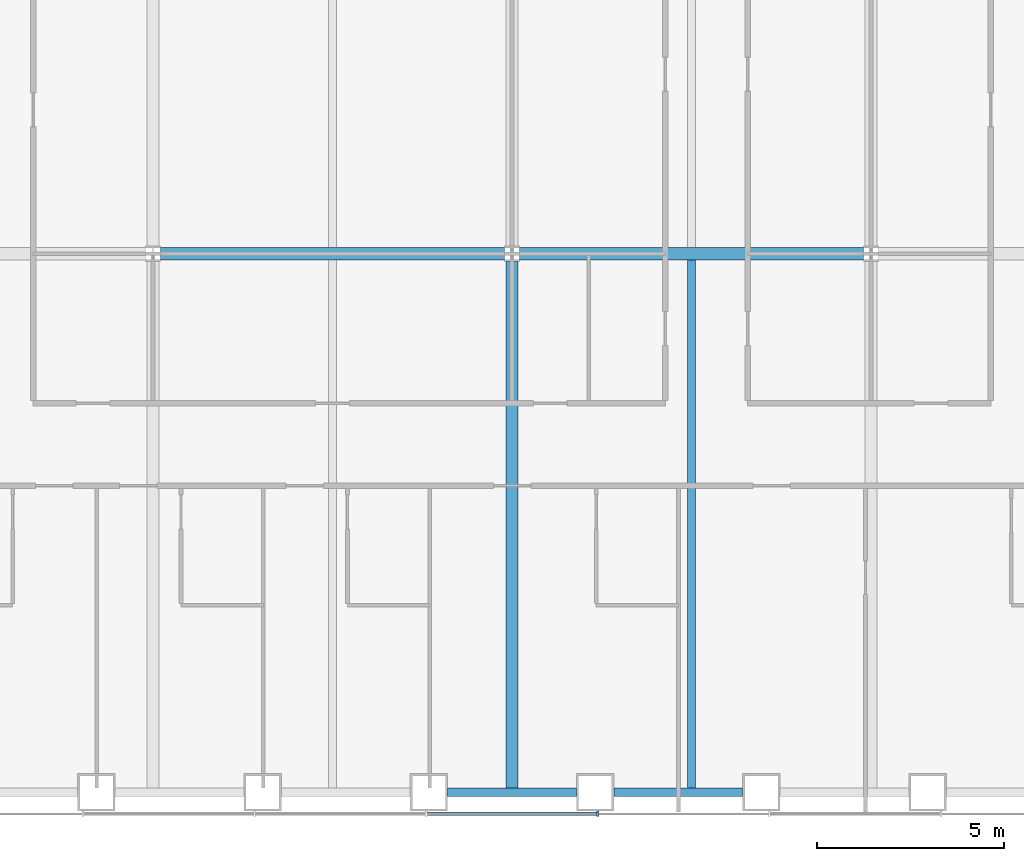
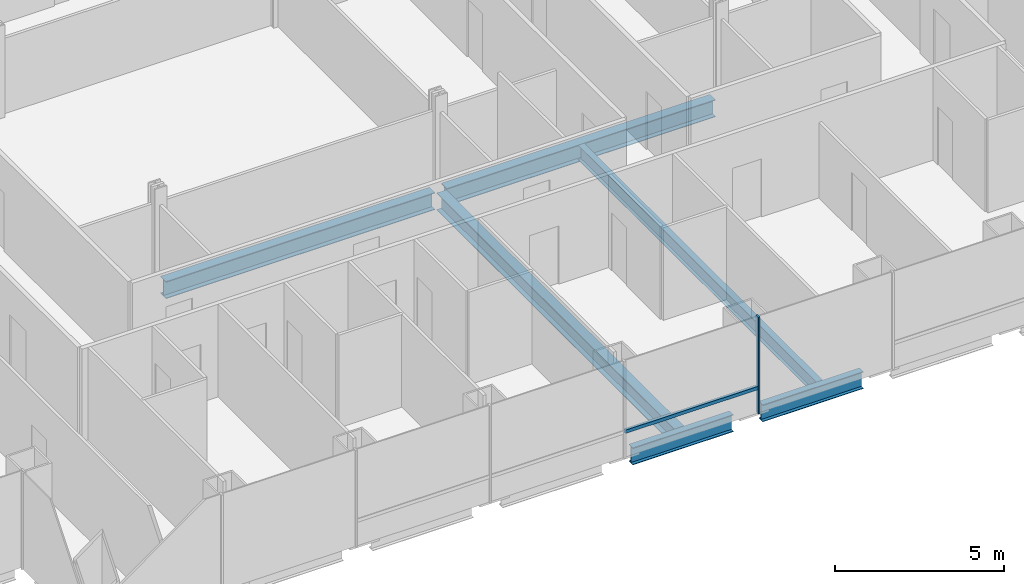
# One storey, part 3 of 23: 6 beams, 2 members, 1 element without a shape of its own.
"""IFC4 building model written with IfcOpenShell, lengths in metres."""

from ifc_helpers import new_model, si_unit, direction, frame, origin, origin_2d, place, context, subcontext, project, spatial, rectangle, i_section, extrude, material, material_profile, profile_set, type_object, element, aggregate, save


model = new_model("IFC4")

# Units and contexts
model_context = context("Model", 3, precision=1e-05, world=origin(), true_north=direction((0.0, 1.0)))
body_context = subcontext(model_context, "Body", "Model", "MODEL_VIEW")
ifc_project = project(units=[si_unit("LENGTHUNIT", "METRE"), si_unit("AREAUNIT", "SQUARE_METRE"), si_unit("VOLUMEUNIT", "CUBIC_METRE"), si_unit("PLANEANGLEUNIT", "RADIAN"), si_unit("MASSUNIT", "GRAM", prefix="KILO")], contexts=[model_context])

# Site, building, storey
site_placement = place(None, origin())
site = spatial("IfcSite", under=ifc_project, at=site_placement, CompositionType="ELEMENT")
building_placement = place(site_placement, origin())
building = spatial("IfcBuilding", under=site, at=building_placement, Name="Cobrizo Arcos Hotel Tower", CompositionType="ELEMENT")
storey_placement = place(building_placement, frame((0.0, 0.0, 56.5)))
storey = spatial("IfcBuildingStorey", under=building, at=storey_placement, Name="L12", CompositionType="ELEMENT", Elevation=56.5)

# Curtain wall, members
ifc_material_1 = material(Name="Aluminium 6063-T6 anodised bronze", Category="aluminium")
curtain_wall_type = type_object("IfcCurtainWallType", Name="CW-A guest facade", PredefinedType="NOTDEFINED", material=ifc_material_1)
curtain_wall_placement = place(storey_placement, origin())
curtain_wall = element("IfcCurtainWall", 1, at=curtain_wall_placement, inside=storey, type_object=curtain_wall_type, Name="CW-A L12 S face", PredefinedType="NOTDEFINED")
ifc_material_profile_1 = material_profile(ifc_material_1, rectangle(XDim=0.14990234375, YDim=0.06005859375, at=origin_2d()), Name="CW-A mullion 150x60")
ifc_profile_set_1 = profile_set([ifc_material_profile_1], Name="Aluminium 6063-T6 anodised bronze")
member_type_1 = type_object("IfcMemberType", Name="CW-A mullion 150x60", PredefinedType="MULLION", material=ifc_profile_set_1)
member_1_placement = place(storey_placement, frame((2.29443359375, -24.574951171875, 0.0), z_axis=(0.0, 0.0, 1.0), x_axis=(0.0, -1.0, 0.0)))
member_1 = element("IfcMember", 2, at=member_1_placement, type_object=member_type_1, Name="CW-A mullion 6", PredefinedType="MULLION", context=body_context, shape_type="SweptSolid", body=[
    extrude(rectangle(XDim=0.14990234375, YDim=0.06005859375, at=origin_2d()), origin(), (0.0, 0.0, 1.0), 3.5),
])
ifc_material_profile_2 = material_profile(ifc_material_1, rectangle(XDim=0.10009765625, YDim=0.1201171875, at=origin_2d()), Name="CW-A transom 120x100")
ifc_profile_set_2 = profile_set([ifc_material_profile_2], Name="Aluminium 6063-T6 anodised bronze")
member_type_2 = type_object("IfcMemberType", Name="CW-A transom 120x100", PredefinedType="USERDEFINED", material=ifc_profile_set_2)
member_2_placement = place(storey_placement, frame((-2.264404296875, -24.574951171875, 0.929931640625), z_axis=(1.0, 0.0, 0.0), x_axis=(0.0, 1.0, 0.0)))
member_2 = element("IfcMember", 3, at=member_2_placement, type_object=member_type_2, Name="CW-A transom 555", ObjectType="TRANSOM", PredefinedType="USERDEFINED", context=body_context, shape_type="SweptSolid", body=[
    extrude(rectangle(XDim=0.10009765625, YDim=0.1201171875, at=origin_2d()), origin(), (0.0, 0.0, 1.0), 4.52880859375),
])
aggregate(curtain_wall, [member_1, member_2])

# Beams
ifc_material_2 = material(Name="Steel ASTM A992 Grade 50", Category="steel")
ifc_material_profile_3 = material_profile(ifc_material_2, i_section(OverallWidth=0.209228515625, OverallDepth=0.533447265625, WebThickness=0.01025390625, FlangeThickness=0.015625, at=origin_2d()), Name="W21X62")
ifc_profile_set_3 = profile_set([ifc_material_profile_3], Name="Steel ASTM A992 Grade 50")
beam_type_1 = type_object("IfcBeamType", Name="W21X62 joist", PredefinedType="JOIST", material=ifc_profile_set_3)
beam_1_placement = place(storey_placement, frame((4.800048828125, -23.909912109375, -0.416748046875), z_axis=(0.0, 1.0, 0.0), x_axis=(-1.0, 0.0, 0.0)))
element("IfcBeam", 4, at=beam_1_placement, inside=storey, type_object=beam_type_1, Name="Floor joist J1, L12, no. 011", PredefinedType="JOIST", context=body_context, shape_type="SweptSolid", body=[
    extrude(i_section(OverallWidth=0.209228515625, OverallDepth=0.533447265625, WebThickness=0.01025390625, FlangeThickness=0.015625, at=origin_2d()), origin(), (0.0, 0.0, 1.0), 14.14599609375),
])
ifc_material_profile_4 = material_profile(ifc_material_2, i_section(OverallWidth=0.32763671875, OverallDepth=0.622314453125, WebThickness=0.015380859375, FlangeThickness=0.0244140625, at=origin_2d()), Name="W24X131")
ifc_profile_set_4 = profile_set([ifc_material_profile_4], Name="Steel ASTM A992 Grade 50")
beam_type_2 = type_object("IfcBeamType", Name="W24X131 girder", PredefinedType="BEAM", material=ifc_profile_set_4)
for number, where, z_axis, x_axis, name in (
    (5, (-9.3955078125, -9.60009765625, -0.461181640625), (1.0, 0.0, 0.0), (0.0, 1.0, 0.0), "Floor girder G1, L12, no. 002"),
    (6, (0.204345703125, -9.60009765625, -0.461181640625), (1.0, 0.0, 0.0), (0.0, 1.0, 0.0), "Floor girder G1, L12, no. 003"),
):
    element("IfcBeam", number, at=place(storey_placement, frame(where, z_axis=z_axis, x_axis=x_axis)), inside=storey, type_object=beam_type_2, Name=name, PredefinedType="BEAM", context=body_context, shape_type="SweptSolid", body=[
        extrude(i_section(OverallWidth=0.32763671875, OverallDepth=0.622314453125, WebThickness=0.015380859375, FlangeThickness=0.0244140625, at=origin_2d()), origin(), (0.0, 0.0, 1.0), 9.191162109375),
    ])
beam_2_placement = place(storey_placement, frame((0.0, -23.909912109375, -0.461181640625), z_axis=(0.0, 1.0, 0.0), x_axis=(-1.0, 0.0, 0.0)))
element("IfcBeam", 7, at=beam_2_placement, inside=storey, type_object=beam_type_2, Name="Floor girder G1, L12, no. 017", PredefinedType="BEAM", context=body_context, shape_type="SweptSolid", body=[
    extrude(i_section(OverallWidth=0.32763671875, OverallDepth=0.622314453125, WebThickness=0.015380859375, FlangeThickness=0.0244140625, at=origin_2d()), origin(), (0.0, 0.0, 1.0), 14.10546875),
])
ifc_material_profile_5 = material_profile(ifc_material_2, i_section(OverallWidth=0.23046875, OverallDepth=0.6171875, WebThickness=0.01318359375, FlangeThickness=0.022216796875, at=origin_2d()), Name="W24X94")
ifc_profile_set_5 = profile_set([ifc_material_profile_5], Name="Steel ASTM A992 Grade 50")
beam_type_3 = type_object("IfcBeamType", Name="W24X94 spandrel", PredefinedType="SPANDREL", material=ifc_profile_set_5)
beam_3_placement = place(storey_placement, frame((-1.721923828125, -24.0, -0.45849609375), z_axis=(1.0, 0.0, 0.0), x_axis=(0.0, 1.0, 0.0)))
element("IfcBeam", 8, at=beam_3_placement, inside=storey, type_object=beam_type_3, Name="Spandrel beam W24X94, L12, no. 005", PredefinedType="SPANDREL", context=body_context, shape_type="SweptSolid", body=[
    extrude(i_section(OverallWidth=0.23046875, OverallDepth=0.6171875, WebThickness=0.01318359375, FlangeThickness=0.022216796875, at=origin_2d()), origin(), (0.0, 0.0, 1.0), 3.44384765625),
])
beam_4_placement = place(storey_placement, frame((2.721923828125, -24.0, -0.45849609375), z_axis=(1.0, 0.0, 0.0), x_axis=(0.0, 1.0, 0.0)))
element("IfcBeam", 9, at=beam_4_placement, inside=storey, type_object=beam_type_3, Name="Spandrel beam W24X94, L12, no. 006", PredefinedType="SPANDREL", context=body_context, shape_type="SweptSolid", body=[
    extrude(i_section(OverallWidth=0.23046875, OverallDepth=0.6171875, WebThickness=0.01318359375, FlangeThickness=0.022216796875, at=origin_2d()), origin(), (0.0, 0.0, 1.0), 3.445068359375),
])

save(model, "model.ifc")
